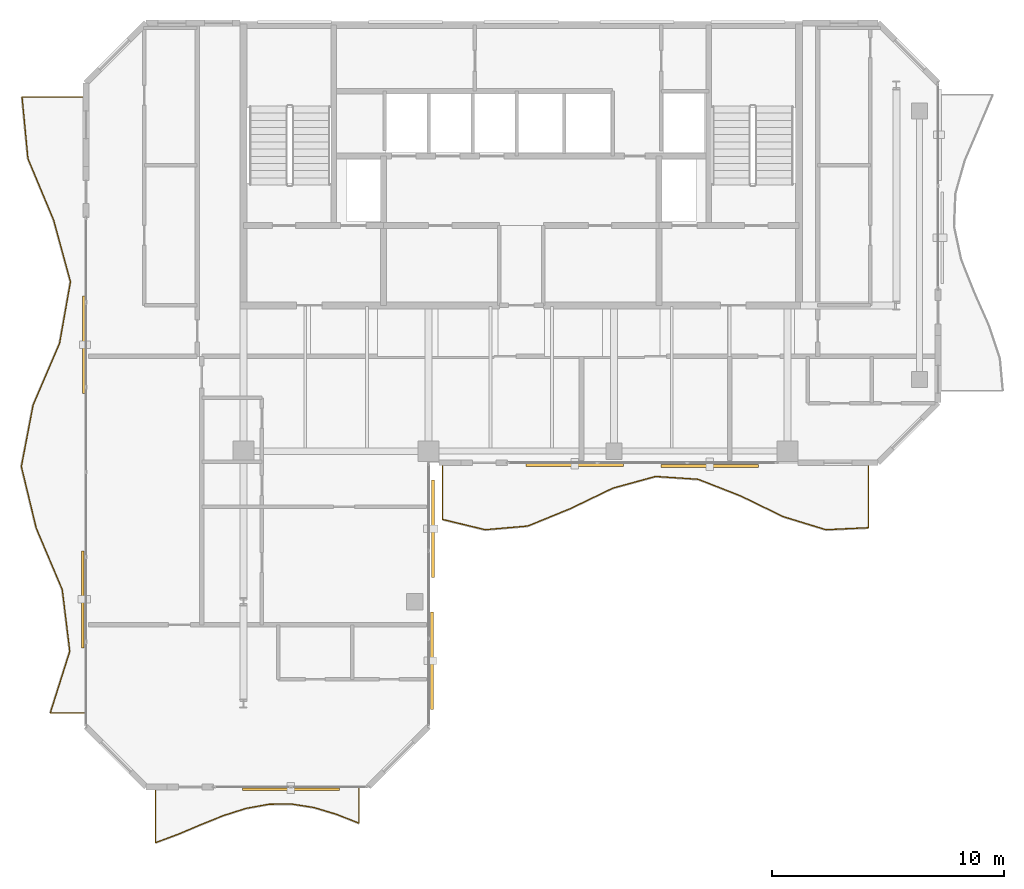
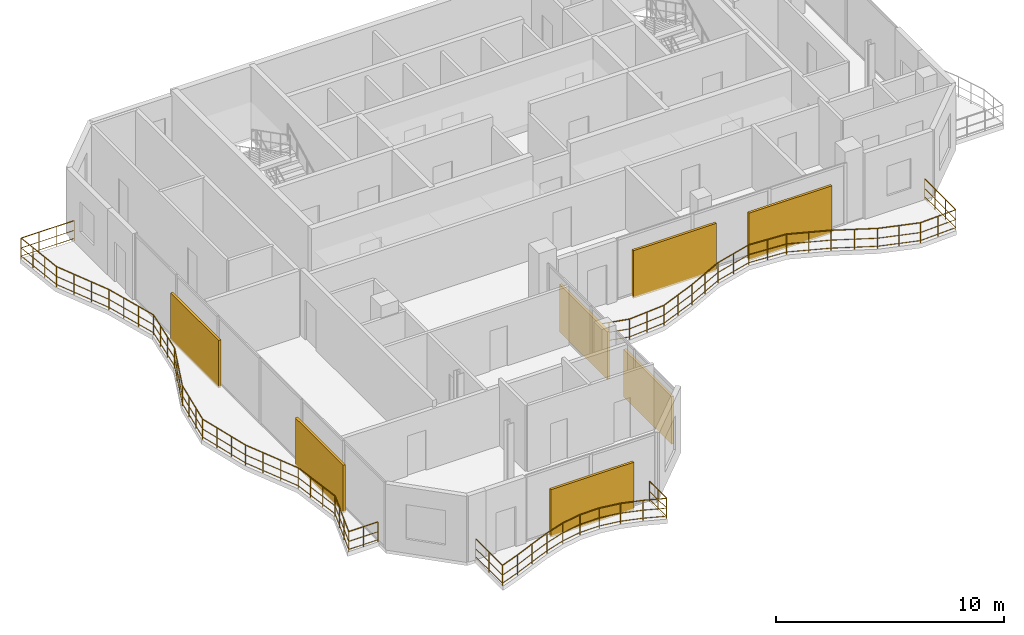
# One storey, part 16 of 17: 7 shading devices, 3 railings.
"""IFC4 building model written with IfcOpenShell, lengths in metres."""

import ifcopenshell
import ifcopenshell.guid

model = None  # the IFC model being written
_history = None  # IfcOwnerHistory: only IFC2X3 demands one
_inside = {}  # id of a spatial element -> (the spatial element, [elements in it])
_under = {}  # id of a project, library or spatial element -> (it, [spatial elements below it])
_declared = {}  # id of a project -> (the project, [libraries it declares])
_typed = {}  # id of a type object -> (the type object, [elements of that type])
_made_of = {}  # id of a material, layer set ... -> (it, [elements and type objects made of it])


def new_model(schema):
    """Start an empty IFC model of exactly this schema.

    Asked for "IFC4X3", IfcOpenShell would pick the latest addendum, in which some entities
    have other attributes; the version numbers below select the first issue.
    IFC2X3 requires an IfcOwnerHistory on every rooted entity: one is made here for all.
    """
    global model, _history
    if schema == "IFC4X3":
        model = ifcopenshell.file(schema_version=(4, 3, 0, 0))
    else:
        model = ifcopenshell.file(schema=schema)
    _inside.clear()
    _under.clear()
    _declared.clear()
    _typed.clear()
    _made_of.clear()
    _history = None
    if model.schema == "IFC2X3":
        org = make("IfcOrganization", Name="unknown")
        user = make(
            "IfcPersonAndOrganization",
            ThePerson=make("IfcPerson", FamilyName="unknown"),
            TheOrganization=org,
        )
        app = make(
            "IfcApplication",
            ApplicationDeveloper=org,
            Version="unknown",
            ApplicationFullName="unknown",
            ApplicationIdentifier="unknown",
        )
        _history = make(
            "IfcOwnerHistory",
            OwningUser=user,
            OwningApplication=app,
            ChangeAction="ADDED",
            CreationDate=0,
        )
    return model


def make(cls, **values):
    """One entity of the class cls with the attributes given. An attribute that is None is left unset."""
    return model.create_entity(
        cls, **{name: value for name, value in values.items() if value is not None}
    )


def rooted(cls, **values):
    """An entity with a GlobalId (a new one), such as an element, a storey or a relation."""
    return make(cls, GlobalId=ifcopenshell.guid.new(), OwnerHistory=_history, **values)


def si_unit(unit_type, name, prefix=None):
    """IfcSIUnit, for example si_unit("LENGTHUNIT", "METRE", prefix="MILLI")."""
    return make("IfcSIUnit", UnitType=unit_type, Prefix=prefix, Name=name)


def assignment(units):
    """IfcUnitAssignment: the units of a project."""
    return None if units is None else make("IfcUnitAssignment", Units=units)


def point(xyz):
    """IfcCartesianPoint."""
    return None if xyz is None else make("IfcCartesianPoint", Coordinates=xyz)


def direction(xyz):
    """IfcDirection."""
    return None if xyz is None else make("IfcDirection", DirectionRatios=xyz)


def frame(location, z_axis=None, x_axis=None):
    """IfcAxis2Placement3D, a coordinate frame: its origin and axes. An axis left out is left unset."""
    return make(
        "IfcAxis2Placement3D",
        Location=point(location),
        Axis=direction(z_axis),
        RefDirection=direction(x_axis),
    )


def frame_2d(location, x_axis=None):
    """IfcAxis2Placement2D, a coordinate frame in the plane: its origin and x axis."""
    return make(
        "IfcAxis2Placement2D", Location=point(location), RefDirection=direction(x_axis)
    )


def origin():
    """The frame at (0, 0, 0) with its axes left unset."""
    return frame((0.0, 0.0, 0.0))


def origin_2d():
    """The frame at (0, 0) in the plane with its x axis left unset."""
    return frame_2d((0.0, 0.0))


def place(relative_to, where):
    """IfcLocalPlacement: puts the frame where relative to a parent placement (None: the world)."""
    return make(
        "IfcLocalPlacement", PlacementRelTo=relative_to, RelativePlacement=where
    )


def context(
    kind, dimensions, precision=None, world=None, true_north=None, identifier=None
):
    """IfcGeometricRepresentationContext, for example the 3D "Model" context."""
    return make(
        "IfcGeometricRepresentationContext",
        ContextIdentifier=identifier,
        ContextType=kind,
        CoordinateSpaceDimension=dimensions,
        Precision=precision,
        WorldCoordinateSystem=world,
        TrueNorth=true_north,
    )


def subcontext(parent, identifier, kind, view, scale=None):
    """IfcGeometricRepresentationSubContext, for example "Body" below "Model"."""
    return make(
        "IfcGeometricRepresentationSubContext",
        ContextIdentifier=identifier,
        ContextType=kind,
        ParentContext=parent,
        TargetScale=scale,
        TargetView=view,
    )


def project(units=None, contexts=None):
    """IfcProject with its units and contexts."""
    return rooted(
        "IfcProject",
        Name="project",
        RepresentationContexts=contexts,
        UnitsInContext=assignment(units),
    )


def spatial(cls, under=None, at=None, **own):
    """A site, building, storey or space (cls), placed at a placement, below another one or the project."""
    s = rooted(cls, ObjectPlacement=at, **own)
    if under is not None:
        _under.setdefault(under.id(), (under, []))[1].append(s)
    return s


def profile(cls, at=None, kind="AREA", **sizes):
    """A parametric profile (cls). Its sizes go by their IFC names, for example OverallWidth=200.0."""
    return make(cls, ProfileType=kind, Position=at, **sizes)


def rectangle(**sizes):
    """IfcRectangleProfileDef."""
    return profile("IfcRectangleProfileDef", **sizes)


def circle(**sizes):
    """IfcCircleProfileDef."""
    return profile("IfcCircleProfileDef", **sizes)


def extrude(swept, where, along, depth):
    """IfcExtrudedAreaSolid: the profile swept, set in the frame where, extruded along a direction by depth."""
    return make(
        "IfcExtrudedAreaSolid",
        SweptArea=swept,
        Position=where,
        ExtrudedDirection=direction(along),
        Depth=depth,
    )


def shape(context_of_items, identifier, shape_type, items):
    """IfcShapeRepresentation: the items that make up one representation, for example the "Body"."""
    return make(
        "IfcShapeRepresentation",
        ContextOfItems=context_of_items,
        RepresentationIdentifier=identifier,
        RepresentationType=shape_type,
        Items=items,
    )


def material(Name=None, Category=None):
    """IfcMaterial."""
    return make("IfcMaterial", Name=Name, Category=Category)


def made_of(thing, what):
    """Note that an element or type object is made of a material, layer set ...; save() writes the relation."""
    if what is not None:
        _made_of.setdefault(what.id(), (what, []))[1].append(thing)
    return thing


def type_object(cls, material=None, **own):
    """A type object (cls), such as IfcWallType, which elements share."""
    return made_of(rooted(cls, **own), material)


def element(
    cls,
    number,
    at=None,
    inside=None,
    cuts=None,
    type_object=None,
    material=None,
    context=None,
    identifier="Body",
    shape_type=None,
    held_by="IfcProductDefinitionShape",
    body=None,
    shapes=None,
    **own,
):
    """One element of the class cls, such as IfcWall. Its Tag is "e" and its number.

    at: its placement. inside: the storey or other place that contains it. cuts: it is an
    opening in that element (IfcRelVoidsElement). A single representation is given by context,
    identifier, shape_type and body (its items); several are given by shapes. held_by: the class
    of the entity that holds the representations. save() writes the other relations.
    """
    e = rooted(cls, Tag="e%d" % number, ObjectPlacement=at, **own)
    if body is not None:
        shapes = [shape(context, identifier, shape_type, body)]
    if shapes is not None:
        e.Representation = make(held_by, Representations=shapes)
    if inside is not None:
        _inside.setdefault(inside.id(), (inside, []))[1].append(e)
    if cuts is not None:
        rooted(
            "IfcRelVoidsElement", RelatingBuildingElement=cuts, RelatedOpeningElement=e
        )
    if type_object is not None:
        _typed.setdefault(type_object.id(), (type_object, []))[1].append(e)
    return made_of(e, material)


def aggregate(whole, parts):
    """IfcRelAggregates: a whole, such as a stair, and the parts it consists of."""
    return rooted("IfcRelAggregates", RelatingObject=whole, RelatedObjects=parts)


def save(model, path):
    """Write the relations noted so far, then the file.

    IfcRelAggregates (storeys below a building ...), IfcRelContainedInSpatialStructure (elements
    in a storey), IfcRelDefinesByType, IfcRelAssociatesMaterial and IfcRelDeclares: one each for
    every whole, place, type object, material and project.
    """
    for whole, parts in _under.values():
        aggregate(whole, parts)
    for where, things in _inside.values():
        rooted(
            "IfcRelContainedInSpatialStructure",
            RelatedElements=things,
            RelatingStructure=where,
        )
    for kind, things in _typed.values():
        rooted("IfcRelDefinesByType", RelatedObjects=things, RelatingType=kind)
    for what, things in _made_of.values():
        rooted("IfcRelAssociatesMaterial", RelatedObjects=things, RelatingMaterial=what)
    for by, libraries in _declared.values():
        rooted("IfcRelDeclares", RelatingContext=by, RelatedDefinitions=libraries)
    model.write(path)


model = new_model("IFC4")

# Units and contexts
model_context = context("Model", 3, precision=1e-05, world=origin(), true_north=direction((0.0, 1.0)))
body_context = subcontext(model_context, "Body", "Model", "MODEL_VIEW")
ifc_project = project(units=[si_unit("LENGTHUNIT", "METRE"), si_unit("AREAUNIT", "SQUARE_METRE"), si_unit("VOLUMEUNIT", "CUBIC_METRE"), si_unit("PLANEANGLEUNIT", "RADIAN"), si_unit("MASSUNIT", "GRAM", prefix="KILO")], contexts=[model_context])

# Site, building, storey
site_placement = place(None, origin())
site = spatial("IfcSite", under=ifc_project, at=site_placement, CompositionType="ELEMENT")
building_placement = place(site_placement, origin())
building = spatial("IfcBuilding", under=site, at=building_placement, Name="Catumbela Crestline Tower", CompositionType="ELEMENT")
storey_placement = place(building_placement, frame((0.0, 0.0, 279.2)))
storey = spatial("IfcBuildingStorey", under=building, at=storey_placement, Name="L72", CompositionType="ELEMENT", Elevation=279.2)

# Railings
ifc_material_1 = material(Name="Stainless steel EN 1.4401", Category="steel")
railing_type = type_object("IfcRailingType", Name="RB-1100", PredefinedType="BALUSTRADE", material=ifc_material_1)
railing_1_placement = place(storey_placement, frame((24.6, 23.94, 0.0)))
element("IfcRailing", 1, at=railing_1_placement, inside=storey, type_object=railing_type, Name="L72 Private Wave Balcony Balustrade 1", PredefinedType="BALUSTRADE", context=body_context, shape_type="SweptSolid", body=[
    extrude(circle(Radius=0.024, at=origin_2d()), frame((0.0, 0.0, 1.076), z_axis=(0.0, -1.0, 0.0), x_axis=(1.0, 0.0, 0.0)), (0.0, 0.0, 1.0), 2.3853),
    extrude(circle(Radius=0.0156, at=origin_2d()), frame((0.0, 0.0, 0.55), z_axis=(0.0, -1.0, 0.0), x_axis=(1.0, 0.0, 0.0)), (0.0, 0.0, 1.0), 2.3853),
    extrude(circle(Radius=0.0156, at=origin_2d()), frame((0.0, 0.0, 0.12), z_axis=(0.0, -1.0, 0.0), x_axis=(1.0, 0.0, 0.0)), (0.0, 0.0, 1.0), 2.3853),
    extrude(circle(Radius=0.024, at=origin_2d()), frame((0.0, -2.3853, 1.076), z_axis=(0.972014442845, -0.234921099311, 0.0), x_axis=(0.234921099311, 0.972014442845, 0.0)), (0.0, 0.0, 1.0), 1.893),
    extrude(circle(Radius=0.0156, at=origin_2d()), frame((0.0, -2.3853, 0.55), z_axis=(0.972014442845, -0.234921099311, 0.0), x_axis=(0.234921099311, 0.972014442845, 0.0)), (0.0, 0.0, 1.0), 1.893),
    extrude(circle(Radius=0.0156, at=origin_2d()), frame((0.0, -2.3853, 0.12), z_axis=(0.972014442845, -0.234921099311, 0.0), x_axis=(0.234921099311, 0.972014442845, 0.0)), (0.0, 0.0, 1.0), 1.893),
    extrude(circle(Radius=0.024, at=origin_2d()), frame((1.84, -2.83, 1.076), z_axis=(0.996291816237, 0.086038461739, 0.0), x_axis=(-0.086038461739, 0.996291816237, 0.0)), (0.0, 0.0, 1.0), 1.8468),
    extrude(circle(Radius=0.0156, at=origin_2d()), frame((1.84, -2.83, 0.55), z_axis=(0.996291816237, 0.086038461739, 0.0), x_axis=(-0.086038461739, 0.996291816237, 0.0)), (0.0, 0.0, 1.0), 1.8468),
    extrude(circle(Radius=0.0156, at=origin_2d()), frame((1.84, -2.83, 0.12), z_axis=(0.996291816237, 0.086038461739, 0.0), x_axis=(-0.086038461739, 0.996291816237, 0.0)), (0.0, 0.0, 1.0), 1.8468),
    extrude(circle(Radius=0.024, at=origin_2d()), frame((3.68, -2.6711, 1.076), z_axis=(0.925780807111, 0.378060705687, 0.0), x_axis=(-0.378060705687, 0.925780807111, 0.0)), (0.0, 0.0, 1.0), 1.9875),
    extrude(circle(Radius=0.0156, at=origin_2d()), frame((3.68, -2.6711, 0.55), z_axis=(0.925780807111, 0.378060705687, 0.0), x_axis=(-0.378060705687, 0.925780807111, 0.0)), (0.0, 0.0, 1.0), 1.9875),
    extrude(circle(Radius=0.0156, at=origin_2d()), frame((3.68, -2.6711, 0.12), z_axis=(0.925780807111, 0.378060705687, 0.0), x_axis=(-0.378060705687, 0.925780807111, 0.0)), (0.0, 0.0, 1.0), 1.9875),
    extrude(circle(Radius=0.024, at=origin_2d()), frame((5.52, -1.9197, 1.076), z_axis=(0.90081518885, 0.434202712495, 0.0), x_axis=(-0.434202712495, 0.90081518885, 0.0)), (0.0, 0.0, 1.0), 2.0426),
    extrude(circle(Radius=0.0156, at=origin_2d()), frame((5.52, -1.9197, 0.55), z_axis=(0.90081518885, 0.434202712495, 0.0), x_axis=(-0.434202712495, 0.90081518885, 0.0)), (0.0, 0.0, 1.0), 2.0426),
    extrude(circle(Radius=0.0156, at=origin_2d()), frame((5.52, -1.9197, 0.12), z_axis=(0.90081518885, 0.434202712495, 0.0), x_axis=(-0.434202712495, 0.90081518885, 0.0)), (0.0, 0.0, 1.0), 2.0426),
    extrude(circle(Radius=0.024, at=origin_2d()), frame((7.36, -1.0328, 1.076), z_axis=(0.964633041285, 0.263596463673, 0.0), x_axis=(-0.263596463673, 0.964633041285, 0.0)), (0.0, 0.0, 1.0), 1.9075),
    extrude(circle(Radius=0.0156, at=origin_2d()), frame((7.36, -1.0328, 0.55), z_axis=(0.964633041285, 0.263596463673, 0.0), x_axis=(-0.263596463673, 0.964633041285, 0.0)), (0.0, 0.0, 1.0), 1.9075),
    extrude(circle(Radius=0.0156, at=origin_2d()), frame((7.36, -1.0328, 0.12), z_axis=(0.964633041285, 0.263596463673, 0.0), x_axis=(-0.263596463673, 0.964633041285, 0.0)), (0.0, 0.0, 1.0), 1.9075),
    extrude(circle(Radius=0.024, at=origin_2d()), frame((9.2, -0.53, 1.076), z_axis=(0.997844741801, -0.065619137912, 0.0), x_axis=(0.065619137912, 0.997844741801, 0.0)), (0.0, 0.0, 1.0), 1.844),
    extrude(circle(Radius=0.0156, at=origin_2d()), frame((9.2, -0.53, 0.55), z_axis=(0.997844741801, -0.065619137912, 0.0), x_axis=(0.065619137912, 0.997844741801, 0.0)), (0.0, 0.0, 1.0), 1.844),
    extrude(circle(Radius=0.0156, at=origin_2d()), frame((9.2, -0.53, 0.12), z_axis=(0.997844741801, -0.065619137912, 0.0), x_axis=(0.065619137912, 0.997844741801, 0.0)), (0.0, 0.0, 1.0), 1.844),
    extrude(circle(Radius=0.024, at=origin_2d()), frame((11.04, -0.651, 1.076), z_axis=(0.931105337332, -0.36475039519, 0.0), x_axis=(0.36475039519, 0.931105337332, 0.0)), (0.0, 0.0, 1.0), 1.9761),
    extrude(circle(Radius=0.0156, at=origin_2d()), frame((11.04, -0.651, 0.55), z_axis=(0.931105337332, -0.36475039519, 0.0), x_axis=(0.36475039519, 0.931105337332, 0.0)), (0.0, 0.0, 1.0), 1.9761),
    extrude(circle(Radius=0.0156, at=origin_2d()), frame((11.04, -0.651, 0.12), z_axis=(0.931105337332, -0.36475039519, 0.0), x_axis=(0.36475039519, 0.931105337332, 0.0)), (0.0, 0.0, 1.0), 1.9761),
    extrude(circle(Radius=0.024, at=origin_2d()), frame((12.88, -1.3718, 1.076), z_axis=(0.899241843518, -0.437451833768, 0.0), x_axis=(0.437451833768, 0.899241843518, 0.0)), (0.0, 0.0, 1.0), 2.0462),
    extrude(circle(Radius=0.0156, at=origin_2d()), frame((12.88, -1.3718, 0.55), z_axis=(0.899241843518, -0.437451833768, 0.0), x_axis=(0.437451833768, 0.899241843518, 0.0)), (0.0, 0.0, 1.0), 2.0462),
    extrude(circle(Radius=0.0156, at=origin_2d()), frame((12.88, -1.3718, 0.12), z_axis=(0.899241843518, -0.437451833768, 0.0), x_axis=(0.437451833768, 0.899241843518, 0.0)), (0.0, 0.0, 1.0), 2.0462),
    extrude(circle(Radius=0.024, at=origin_2d()), frame((14.72, -2.2669, 1.076), z_axis=(0.956223997203, -0.292635724362, 0.0), x_axis=(0.292635724362, 0.956223997203, 0.0)), (0.0, 0.0, 1.0), 1.9242),
    extrude(circle(Radius=0.0156, at=origin_2d()), frame((14.72, -2.2669, 0.55), z_axis=(0.956223997203, -0.292635724362, 0.0), x_axis=(0.292635724362, 0.956223997203, 0.0)), (0.0, 0.0, 1.0), 1.9242),
    extrude(circle(Radius=0.0156, at=origin_2d()), frame((14.72, -2.2669, 0.12), z_axis=(0.956223997203, -0.292635724362, 0.0), x_axis=(0.292635724362, 0.956223997203, 0.0)), (0.0, 0.0, 1.0), 1.9242),
    extrude(circle(Radius=0.024, at=origin_2d()), frame((16.56, -2.83, 1.076), z_axis=(0.998894269324, 0.047013175937, 0.0), x_axis=(-0.047013175937, 0.998894269324, 0.0)), (0.0, 0.0, 1.0), 1.842),
    extrude(circle(Radius=0.0156, at=origin_2d()), frame((16.56, -2.83, 0.55), z_axis=(0.998894269324, 0.047013175937, 0.0), x_axis=(-0.047013175937, 0.998894269324, 0.0)), (0.0, 0.0, 1.0), 1.842),
    extrude(circle(Radius=0.0156, at=origin_2d()), frame((16.56, -2.83, 0.12), z_axis=(0.998894269324, 0.047013175937, 0.0), x_axis=(-0.047013175937, 0.998894269324, 0.0)), (0.0, 0.0, 1.0), 1.842),
    extrude(circle(Radius=0.024, at=origin_2d()), frame((18.4, -2.7434, 1.076), z_axis=(0.0, 1.0, 0.0), x_axis=(-1.0, 0.0, 0.0)), (0.0, 0.0, 1.0), 2.7434),
    extrude(circle(Radius=0.0156, at=origin_2d()), frame((18.4, -2.7434, 0.55), z_axis=(0.0, 1.0, 0.0), x_axis=(-1.0, 0.0, 0.0)), (0.0, 0.0, 1.0), 2.7434),
    extrude(circle(Radius=0.0156, at=origin_2d()), frame((18.4, -2.7434, 0.12), z_axis=(0.0, 1.0, 0.0), x_axis=(-1.0, 0.0, 0.0)), (0.0, 0.0, 1.0), 2.7434),
    extrude(circle(Radius=0.021, at=origin_2d()), origin(), (0.0, 0.0, 1.0), 1.052),
    extrude(circle(Radius=0.021, at=origin_2d()), frame((0.0, -1.1927, 0.0)), (0.0, 0.0, 1.0), 1.052),
    extrude(circle(Radius=0.021, at=origin_2d()), frame((0.0, -2.3853, 0.0)), (0.0, 0.0, 1.0), 1.052),
    extrude(circle(Radius=0.021, at=origin_2d()), frame((0.92, -2.6077, 0.0)), (0.0, 0.0, 1.0), 1.052),
    extrude(circle(Radius=0.021, at=origin_2d()), frame((1.84, -2.83, 0.0)), (0.0, 0.0, 1.0), 1.052),
    extrude(circle(Radius=0.021, at=origin_2d()), frame((2.76, -2.7506, 0.0)), (0.0, 0.0, 1.0), 1.052),
    extrude(circle(Radius=0.021, at=origin_2d()), frame((3.68, -2.6711, 0.0)), (0.0, 0.0, 1.0), 1.052),
    extrude(circle(Radius=0.021, at=origin_2d()), frame((4.6, -2.2954, 0.0)), (0.0, 0.0, 1.0), 1.052),
    extrude(circle(Radius=0.021, at=origin_2d()), frame((5.52, -1.9197, 0.0)), (0.0, 0.0, 1.0), 1.052),
    extrude(circle(Radius=0.021, at=origin_2d()), frame((6.44, -1.4763, 0.0)), (0.0, 0.0, 1.0), 1.052),
    extrude(circle(Radius=0.021, at=origin_2d()), frame((7.36, -1.0328, 0.0)), (0.0, 0.0, 1.0), 1.052),
    extrude(circle(Radius=0.021, at=origin_2d()), frame((8.28, -0.7814, 0.0)), (0.0, 0.0, 1.0), 1.052),
    extrude(circle(Radius=0.021, at=origin_2d()), frame((9.2, -0.53, 0.0)), (0.0, 0.0, 1.0), 1.052),
    extrude(circle(Radius=0.021, at=origin_2d()), frame((10.12, -0.5905, 0.0)), (0.0, 0.0, 1.0), 1.052),
    extrude(circle(Radius=0.021, at=origin_2d()), frame((11.04, -0.651, 0.0)), (0.0, 0.0, 1.0), 1.052),
    extrude(circle(Radius=0.021, at=origin_2d()), frame((11.96, -1.0114, 0.0)), (0.0, 0.0, 1.0), 1.052),
    extrude(circle(Radius=0.021, at=origin_2d()), frame((12.88, -1.3718, 0.0)), (0.0, 0.0, 1.0), 1.052),
    extrude(circle(Radius=0.021, at=origin_2d()), frame((13.8, -1.8194, 0.0)), (0.0, 0.0, 1.0), 1.052),
    extrude(circle(Radius=0.021, at=origin_2d()), frame((14.72, -2.2669, 0.0)), (0.0, 0.0, 1.0), 1.052),
    extrude(circle(Radius=0.021, at=origin_2d()), frame((15.64, -2.5485, 0.0)), (0.0, 0.0, 1.0), 1.052),
    extrude(circle(Radius=0.021, at=origin_2d()), frame((16.56, -2.83, 0.0)), (0.0, 0.0, 1.0), 1.052),
    extrude(circle(Radius=0.021, at=origin_2d()), frame((17.48, -2.7867, 0.0)), (0.0, 0.0, 1.0), 1.052),
    extrude(circle(Radius=0.021, at=origin_2d()), frame((18.4, -2.7434, 0.0)), (0.0, 0.0, 1.0), 1.052),
    extrude(circle(Radius=0.021, at=origin_2d()), frame((18.4, -1.8289, 0.0)), (0.0, 0.0, 1.0), 1.052),
    extrude(circle(Radius=0.021, at=origin_2d()), frame((18.4, -0.9145, 0.0)), (0.0, 0.0, 1.0), 1.052),
    extrude(circle(Radius=0.021, at=origin_2d()), frame((18.4, 0.0, 0.0)), (0.0, 0.0, 1.0), 1.052),
])
railing_2_placement = place(storey_placement, frame((12.2, 9.94, 0.0)))
element("IfcRailing", 2, at=railing_2_placement, inside=storey, type_object=railing_type, Name="L72 Private Wave Balcony Balustrade 3", PredefinedType="BALUSTRADE", context=body_context, shape_type="SweptSolid", body=[
    extrude(circle(Radius=0.024, at=origin_2d()), frame((0.0, 0.0, 1.076), z_axis=(0.0, -1.0, 0.0), x_axis=(1.0, 0.0, 0.0)), (0.0, 0.0, 1.0), 2.3474),
    extrude(circle(Radius=0.0156, at=origin_2d()), frame((0.0, 0.0, 0.55), z_axis=(0.0, -1.0, 0.0), x_axis=(1.0, 0.0, 0.0)), (0.0, 0.0, 1.0), 2.3474),
    extrude(circle(Radius=0.0156, at=origin_2d()), frame((0.0, 0.0, 0.12), z_axis=(0.0, -1.0, 0.0), x_axis=(1.0, 0.0, 0.0)), (0.0, 0.0, 1.0), 2.3474),
    extrude(circle(Radius=0.024, at=origin_2d()), frame((0.0, -2.3474, 1.076), z_axis=(0.937670076589, 0.347526729143, 0.0), x_axis=(-0.347526729143, 0.937670076589, 0.0)), (0.0, 0.0, 1.0), 1.0428),
    extrude(circle(Radius=0.0156, at=origin_2d()), frame((0.0, -2.3474, 0.55), z_axis=(0.937670076589, 0.347526729143, 0.0), x_axis=(-0.347526729143, 0.937670076589, 0.0)), (0.0, 0.0, 1.0), 1.0428),
    extrude(circle(Radius=0.0156, at=origin_2d()), frame((0.0, -2.3474, 0.12), z_axis=(0.937670076589, 0.347526729143, 0.0), x_axis=(-0.347526729143, 0.937670076589, 0.0)), (0.0, 0.0, 1.0), 1.0428),
    extrude(circle(Radius=0.024, at=origin_2d()), frame((0.9778, -1.985, 1.076), z_axis=(0.921266066546, 0.388932943618, 0.0), x_axis=(-0.388932943618, 0.921266066546, 0.0)), (0.0, 0.0, 1.0), 1.0614),
    extrude(circle(Radius=0.0156, at=origin_2d()), frame((0.9778, -1.985, 0.55), z_axis=(0.921266066546, 0.388932943618, 0.0), x_axis=(-0.388932943618, 0.921266066546, 0.0)), (0.0, 0.0, 1.0), 1.0614),
    extrude(circle(Radius=0.0156, at=origin_2d()), frame((0.9778, -1.985, 0.12), z_axis=(0.921266066546, 0.388932943618, 0.0), x_axis=(-0.388932943618, 0.921266066546, 0.0)), (0.0, 0.0, 1.0), 1.0614),
    extrude(circle(Radius=0.024, at=origin_2d()), frame((1.9556, -1.5722, 1.076), z_axis=(0.927189269891, 0.374593189738, 0.0), x_axis=(-0.374593189738, 0.927189269891, 0.0)), (0.0, 0.0, 1.0), 1.0545),
    extrude(circle(Radius=0.0156, at=origin_2d()), frame((1.9556, -1.5722, 0.55), z_axis=(0.927189269891, 0.374593189738, 0.0), x_axis=(-0.374593189738, 0.927189269891, 0.0)), (0.0, 0.0, 1.0), 1.0545),
    extrude(circle(Radius=0.0156, at=origin_2d()), frame((1.9556, -1.5722, 0.12), z_axis=(0.927189269891, 0.374593189738, 0.0), x_axis=(-0.374593189738, 0.927189269891, 0.0)), (0.0, 0.0, 1.0), 1.0545),
    extrude(circle(Radius=0.024, at=origin_2d()), frame((2.9333, -1.1772, 1.076), z_axis=(0.952733641075, 0.303806861615, 0.0), x_axis=(-0.303806861615, 0.952733641075, 0.0)), (0.0, 0.0, 1.0), 1.0263),
    extrude(circle(Radius=0.0156, at=origin_2d()), frame((2.9333, -1.1772, 0.55), z_axis=(0.952733641075, 0.303806861615, 0.0), x_axis=(-0.303806861615, 0.952733641075, 0.0)), (0.0, 0.0, 1.0), 1.0263),
    extrude(circle(Radius=0.0156, at=origin_2d()), frame((2.9333, -1.1772, 0.12), z_axis=(0.952733641075, 0.303806861615, 0.0), x_axis=(-0.303806861615, 0.952733641075, 0.0)), (0.0, 0.0, 1.0), 1.0263),
    extrude(circle(Radius=0.024, at=origin_2d()), frame((3.9111, -0.8654, 1.076), z_axis=(0.983990445637, 0.178221218984, 0.0), x_axis=(-0.178221218984, 0.983990445637, 0.0)), (0.0, 0.0, 1.0), 0.9937),
    extrude(circle(Radius=0.0156, at=origin_2d()), frame((3.9111, -0.8654, 0.55), z_axis=(0.983990445637, 0.178221218984, 0.0), x_axis=(-0.178221218984, 0.983990445637, 0.0)), (0.0, 0.0, 1.0), 0.9937),
    extrude(circle(Radius=0.0156, at=origin_2d()), frame((3.9111, -0.8654, 0.12), z_axis=(0.983990445637, 0.178221218984, 0.0), x_axis=(-0.178221218984, 0.983990445637, 0.0)), (0.0, 0.0, 1.0), 0.9937),
    extrude(circle(Radius=0.024, at=origin_2d()), frame((4.8889, -0.6883, 1.076), z_axis=(0.999911631177, 0.013293977506, 0.0), x_axis=(-0.013293977506, 0.999911631177, 0.0)), (0.0, 0.0, 1.0), 0.9779),
    extrude(circle(Radius=0.0156, at=origin_2d()), frame((4.8889, -0.6883, 0.55), z_axis=(0.999911631177, 0.013293977506, 0.0), x_axis=(-0.013293977506, 0.999911631177, 0.0)), (0.0, 0.0, 1.0), 0.9779),
    extrude(circle(Radius=0.0156, at=origin_2d()), frame((4.8889, -0.6883, 0.12), z_axis=(0.999911631177, 0.013293977506, 0.0), x_axis=(-0.013293977506, 0.999911631177, 0.0)), (0.0, 0.0, 1.0), 0.9779),
    extrude(circle(Radius=0.024, at=origin_2d()), frame((5.8667, -0.6753, 1.076), z_axis=(0.987960442515, -0.154706703231, 0.0), x_axis=(0.154706703231, 0.987960442515, 0.0)), (0.0, 0.0, 1.0), 0.9896),
    extrude(circle(Radius=0.0156, at=origin_2d()), frame((5.8667, -0.6753, 0.55), z_axis=(0.987960442515, -0.154706703231, 0.0), x_axis=(0.154706703231, 0.987960442515, 0.0)), (0.0, 0.0, 1.0), 0.9896),
    extrude(circle(Radius=0.0156, at=origin_2d()), frame((5.8667, -0.6753, 0.12), z_axis=(0.987960442515, -0.154706703231, 0.0), x_axis=(0.154706703231, 0.987960442515, 0.0)), (0.0, 0.0, 1.0), 0.9896),
    extrude(circle(Radius=0.024, at=origin_2d()), frame((6.8444, -0.8284, 1.076), z_axis=(0.957621184217, -0.288030671178, 0.0), x_axis=(0.288030671178, 0.957621184217, 0.0)), (0.0, 0.0, 1.0), 1.0211),
    extrude(circle(Radius=0.0156, at=origin_2d()), frame((6.8444, -0.8284, 0.55), z_axis=(0.957621184217, -0.288030671178, 0.0), x_axis=(0.288030671178, 0.957621184217, 0.0)), (0.0, 0.0, 1.0), 1.0211),
    extrude(circle(Radius=0.0156, at=origin_2d()), frame((6.8444, -0.8284, 0.12), z_axis=(0.957621184217, -0.288030671178, 0.0), x_axis=(0.288030671178, 0.957621184217, 0.0)), (0.0, 0.0, 1.0), 1.0211),
    extrude(circle(Radius=0.024, at=origin_2d()), frame((7.8222, -1.1225, 1.076), z_axis=(0.930081682865, -0.367352777585, 0.0), x_axis=(0.367352777585, 0.930081682865, 0.0)), (0.0, 0.0, 1.0), 1.0513),
    extrude(circle(Radius=0.0156, at=origin_2d()), frame((7.8222, -1.1225, 0.55), z_axis=(0.930081682865, -0.367352777585, 0.0), x_axis=(0.367352777585, 0.930081682865, 0.0)), (0.0, 0.0, 1.0), 1.0513),
    extrude(circle(Radius=0.0156, at=origin_2d()), frame((7.8222, -1.1225, 0.12), z_axis=(0.930081682865, -0.367352777585, 0.0), x_axis=(0.367352777585, 0.930081682865, 0.0)), (0.0, 0.0, 1.0), 1.0513),
    extrude(circle(Radius=0.024, at=origin_2d()), frame((8.8, -1.5087, 1.076), z_axis=(0.0, 1.0, 0.0), x_axis=(-1.0, 0.0, 0.0)), (0.0, 0.0, 1.0), 1.5087),
    extrude(circle(Radius=0.0156, at=origin_2d()), frame((8.8, -1.5087, 0.55), z_axis=(0.0, 1.0, 0.0), x_axis=(-1.0, 0.0, 0.0)), (0.0, 0.0, 1.0), 1.5087),
    extrude(circle(Radius=0.0156, at=origin_2d()), frame((8.8, -1.5087, 0.12), z_axis=(0.0, 1.0, 0.0), x_axis=(-1.0, 0.0, 0.0)), (0.0, 0.0, 1.0), 1.5087),
    extrude(circle(Radius=0.021, at=origin_2d()), origin(), (0.0, 0.0, 1.0), 1.052),
    extrude(circle(Radius=0.021, at=origin_2d()), frame((0.0, -1.1737, 0.0)), (0.0, 0.0, 1.0), 1.052),
    extrude(circle(Radius=0.021, at=origin_2d()), frame((0.0, -2.3474, 0.0)), (0.0, 0.0, 1.0), 1.052),
    extrude(circle(Radius=0.021, at=origin_2d()), frame((0.9778, -1.985, 0.0)), (0.0, 0.0, 1.0), 1.052),
    extrude(circle(Radius=0.021, at=origin_2d()), frame((1.9556, -1.5722, 0.0)), (0.0, 0.0, 1.0), 1.052),
    extrude(circle(Radius=0.021, at=origin_2d()), frame((2.9333, -1.1772, 0.0)), (0.0, 0.0, 1.0), 1.052),
    extrude(circle(Radius=0.021, at=origin_2d()), frame((3.9111, -0.8654, 0.0)), (0.0, 0.0, 1.0), 1.052),
    extrude(circle(Radius=0.021, at=origin_2d()), frame((4.8889, -0.6883, 0.0)), (0.0, 0.0, 1.0), 1.052),
    extrude(circle(Radius=0.021, at=origin_2d()), frame((5.8667, -0.6753, 0.0)), (0.0, 0.0, 1.0), 1.052),
    extrude(circle(Radius=0.021, at=origin_2d()), frame((6.8444, -0.8284, 0.0)), (0.0, 0.0, 1.0), 1.052),
    extrude(circle(Radius=0.021, at=origin_2d()), frame((7.8222, -1.1225, 0.0)), (0.0, 0.0, 1.0), 1.052),
    extrude(circle(Radius=0.021, at=origin_2d()), frame((8.8, -1.5087, 0.0)), (0.0, 0.0, 1.0), 1.052),
    extrude(circle(Radius=0.021, at=origin_2d()), frame((8.8, -0.7543, 0.0)), (0.0, 0.0, 1.0), 1.052),
    extrude(circle(Radius=0.021, at=origin_2d()), frame((8.8, 0.0, 0.0)), (0.0, 0.0, 1.0), 1.052),
])
railing_3_placement = place(storey_placement, frame((9.14, 39.8, 0.0)))
element("IfcRailing", 3, at=railing_3_placement, inside=storey, type_object=railing_type, Name="L72 Private Wave Balcony Balustrade 4", PredefinedType="BALUSTRADE", context=body_context, shape_type="SweptSolid", body=[
    extrude(circle(Radius=0.024, at=origin_2d()), frame((0.0, 0.0, 1.076), z_axis=(-1.0, 0.0, 0.0), x_axis=(0.0, -1.0, 0.0)), (0.0, 0.0, 1.0), 2.7006),
    extrude(circle(Radius=0.0156, at=origin_2d()), frame((0.0, 0.0, 0.55), z_axis=(-1.0, 0.0, 0.0), x_axis=(0.0, -1.0, 0.0)), (0.0, 0.0, 1.0), 2.7006),
    extrude(circle(Radius=0.0156, at=origin_2d()), frame((0.0, 0.0, 0.12), z_axis=(-1.0, 0.0, 0.0), x_axis=(0.0, -1.0, 0.0)), (0.0, 0.0, 1.0), 2.7006),
    extrude(circle(Radius=0.024, at=origin_2d()), frame((-2.7006, 0.0, 1.076), z_axis=(0.094870905814, -0.995489583687, 0.0), x_axis=(0.995489583687, 0.094870905814, 0.0)), (0.0, 0.0, 1.0), 2.6721),
    extrude(circle(Radius=0.0156, at=origin_2d()), frame((-2.7006, 0.0, 0.55), z_axis=(0.094870905814, -0.995489583687, 0.0), x_axis=(0.995489583687, 0.094870905814, 0.0)), (0.0, 0.0, 1.0), 2.6721),
    extrude(circle(Radius=0.0156, at=origin_2d()), frame((-2.7006, 0.0, 0.12), z_axis=(0.094870905814, -0.995489583687, 0.0), x_axis=(0.995489583687, 0.094870905814, 0.0)), (0.0, 0.0, 1.0), 2.6721),
    extrude(circle(Radius=0.024, at=origin_2d()), frame((-2.4471, -2.66, 1.076), z_axis=(0.385462533734, -0.922723487881, 0.0), x_axis=(0.922723487881, 0.385462533734, 0.0)), (0.0, 0.0, 1.0), 2.8828),
    extrude(circle(Radius=0.0156, at=origin_2d()), frame((-2.4471, -2.66, 0.55), z_axis=(0.385462533734, -0.922723487881, 0.0), x_axis=(0.922723487881, 0.385462533734, 0.0)), (0.0, 0.0, 1.0), 2.8828),
    extrude(circle(Radius=0.0156, at=origin_2d()), frame((-2.4471, -2.66, 0.12), z_axis=(0.385462533734, -0.922723487881, 0.0), x_axis=(0.922723487881, 0.385462533734, 0.0)), (0.0, 0.0, 1.0), 2.8828),
    extrude(circle(Radius=0.024, at=origin_2d()), frame((-1.3359, -5.32, 1.076), z_axis=(0.263470281309, -0.964667513119, 0.0), x_axis=(0.964667513119, 0.263470281309, 0.0)), (0.0, 0.0, 1.0), 2.7574),
    extrude(circle(Radius=0.0156, at=origin_2d()), frame((-1.3359, -5.32, 0.55), z_axis=(0.263470281309, -0.964667513119, 0.0), x_axis=(0.964667513119, 0.263470281309, 0.0)), (0.0, 0.0, 1.0), 2.7574),
    extrude(circle(Radius=0.0156, at=origin_2d()), frame((-1.3359, -5.32, 0.12), z_axis=(0.263470281309, -0.964667513119, 0.0), x_axis=(0.964667513119, 0.263470281309, 0.0)), (0.0, 0.0, 1.0), 2.7574),
    extrude(circle(Radius=0.024, at=origin_2d()), frame((-0.6094, -7.98, 1.076), z_axis=(-0.174283696661, -0.98469548241, 0.0), x_axis=(0.98469548241, -0.174283696661, 0.0)), (0.0, 0.0, 1.0), 2.7013),
    extrude(circle(Radius=0.0156, at=origin_2d()), frame((-0.6094, -7.98, 0.55), z_axis=(-0.174283696661, -0.98469548241, 0.0), x_axis=(0.98469548241, -0.174283696661, 0.0)), (0.0, 0.0, 1.0), 2.7013),
    extrude(circle(Radius=0.0156, at=origin_2d()), frame((-0.6094, -7.98, 0.12), z_axis=(-0.174283696661, -0.98469548241, 0.0), x_axis=(0.98469548241, -0.174283696661, 0.0)), (0.0, 0.0, 1.0), 2.7013),
    extrude(circle(Radius=0.024, at=origin_2d()), frame((-1.0802, -10.64, 1.076), z_axis=(-0.394357051156, -0.918957298357, 0.0), x_axis=(0.918957298357, -0.394357051156, 0.0)), (0.0, 0.0, 1.0), 2.8946),
    extrude(circle(Radius=0.0156, at=origin_2d()), frame((-1.0802, -10.64, 0.55), z_axis=(-0.394357051156, -0.918957298357, 0.0), x_axis=(0.918957298357, -0.394357051156, 0.0)), (0.0, 0.0, 1.0), 2.8946),
    extrude(circle(Radius=0.0156, at=origin_2d()), frame((-1.0802, -10.64, 0.12), z_axis=(-0.394357051156, -0.918957298357, 0.0), x_axis=(0.918957298357, -0.394357051156, 0.0)), (0.0, 0.0, 1.0), 2.8946),
    extrude(circle(Radius=0.024, at=origin_2d()), frame((-2.2217, -13.3, 1.076), z_axis=(-0.187694081346, -0.98222753567, 0.0), x_axis=(0.98222753567, -0.187694081346, 0.0)), (0.0, 0.0, 1.0), 2.7081),
    extrude(circle(Radius=0.0156, at=origin_2d()), frame((-2.2217, -13.3, 0.55), z_axis=(-0.187694081346, -0.98222753567, 0.0), x_axis=(0.98222753567, -0.187694081346, 0.0)), (0.0, 0.0, 1.0), 2.7081),
    extrude(circle(Radius=0.0156, at=origin_2d()), frame((-2.2217, -13.3, 0.12), z_axis=(-0.187694081346, -0.98222753567, 0.0), x_axis=(0.98222753567, -0.187694081346, 0.0)), (0.0, 0.0, 1.0), 2.7081),
    extrude(circle(Radius=0.024, at=origin_2d()), frame((-2.73, -15.96, 1.076), z_axis=(0.234478578071, -0.972121286891, 0.0), x_axis=(0.972121286891, 0.234478578071, 0.0)), (0.0, 0.0, 1.0), 2.7363),
    extrude(circle(Radius=0.0156, at=origin_2d()), frame((-2.73, -15.96, 0.55), z_axis=(0.234478578071, -0.972121286891, 0.0), x_axis=(0.972121286891, 0.234478578071, 0.0)), (0.0, 0.0, 1.0), 2.7363),
    extrude(circle(Radius=0.0156, at=origin_2d()), frame((-2.73, -15.96, 0.12), z_axis=(0.234478578071, -0.972121286891, 0.0), x_axis=(0.972121286891, 0.234478578071, 0.0)), (0.0, 0.0, 1.0), 2.7363),
    extrude(circle(Radius=0.024, at=origin_2d()), frame((-2.0884, -18.62, 1.076), z_axis=(0.389732602079, -0.920928063899, 0.0), x_axis=(0.920928063899, 0.389732602079, 0.0)), (0.0, 0.0, 1.0), 2.8884),
    extrude(circle(Radius=0.0156, at=origin_2d()), frame((-2.0884, -18.62, 0.55), z_axis=(0.389732602079, -0.920928063899, 0.0), x_axis=(0.920928063899, 0.389732602079, 0.0)), (0.0, 0.0, 1.0), 2.8884),
    extrude(circle(Radius=0.0156, at=origin_2d()), frame((-2.0884, -18.62, 0.12), z_axis=(0.389732602079, -0.920928063899, 0.0), x_axis=(0.920928063899, 0.389732602079, 0.0)), (0.0, 0.0, 1.0), 2.8884),
    extrude(circle(Radius=0.024, at=origin_2d()), frame((-0.9627, -21.28, 1.076), z_axis=(0.120763781886, -0.992681272607, 0.0), x_axis=(0.992681272607, 0.120763781886, 0.0)), (0.0, 0.0, 1.0), 2.6796),
    extrude(circle(Radius=0.0156, at=origin_2d()), frame((-0.9627, -21.28, 0.55), z_axis=(0.120763781886, -0.992681272607, 0.0), x_axis=(0.992681272607, 0.120763781886, 0.0)), (0.0, 0.0, 1.0), 2.6796),
    extrude(circle(Radius=0.0156, at=origin_2d()), frame((-0.9627, -21.28, 0.12), z_axis=(0.120763781886, -0.992681272607, 0.0), x_axis=(0.992681272607, 0.120763781886, 0.0)), (0.0, 0.0, 1.0), 2.6796),
    extrude(circle(Radius=0.024, at=origin_2d()), frame((-0.6391, -23.94, 1.076), z_axis=(-0.301261752226, -0.953541481345, 0.0), x_axis=(0.953541481345, -0.301261752226, 0.0)), (0.0, 0.0, 1.0), 2.7896),
    extrude(circle(Radius=0.0156, at=origin_2d()), frame((-0.6391, -23.94, 0.55), z_axis=(-0.301261752226, -0.953541481345, 0.0), x_axis=(0.953541481345, -0.301261752226, 0.0)), (0.0, 0.0, 1.0), 2.7896),
    extrude(circle(Radius=0.0156, at=origin_2d()), frame((-0.6391, -23.94, 0.12), z_axis=(-0.301261752226, -0.953541481345, 0.0), x_axis=(0.953541481345, -0.301261752226, 0.0)), (0.0, 0.0, 1.0), 2.7896),
    extrude(circle(Radius=0.024, at=origin_2d()), frame((-1.4795, -26.6, 1.076), z_axis=(1.0, 0.0, 0.0), x_axis=(0.0, 1.0, 0.0)), (0.0, 0.0, 1.0), 1.4795),
    extrude(circle(Radius=0.0156, at=origin_2d()), frame((-1.4795, -26.6, 0.55), z_axis=(1.0, 0.0, 0.0), x_axis=(0.0, 1.0, 0.0)), (0.0, 0.0, 1.0), 1.4795),
    extrude(circle(Radius=0.0156, at=origin_2d()), frame((-1.4795, -26.6, 0.12), z_axis=(1.0, 0.0, 0.0), x_axis=(0.0, 1.0, 0.0)), (0.0, 0.0, 1.0), 1.4795),
    extrude(circle(Radius=0.021, at=origin_2d()), origin(), (0.0, 0.0, 1.0), 1.052),
    extrude(circle(Radius=0.021, at=origin_2d()), frame((-0.9002, 0.0, 0.0)), (0.0, 0.0, 1.0), 1.052),
    extrude(circle(Radius=0.021, at=origin_2d()), frame((-1.8004, 0.0, 0.0)), (0.0, 0.0, 1.0), 1.052),
    extrude(circle(Radius=0.021, at=origin_2d()), frame((-2.7006, 0.0, 0.0)), (0.0, 0.0, 1.0), 1.052),
    extrude(circle(Radius=0.021, at=origin_2d()), frame((-2.6161, -0.8867, 0.0)), (0.0, 0.0, 1.0), 1.052),
    extrude(circle(Radius=0.021, at=origin_2d()), frame((-2.5316, -1.7733, 0.0)), (0.0, 0.0, 1.0), 1.052),
    extrude(circle(Radius=0.021, at=origin_2d()), frame((-2.4471, -2.66, 0.0)), (0.0, 0.0, 1.0), 1.052),
    extrude(circle(Radius=0.021, at=origin_2d()), frame((-2.0767, -3.5467, 0.0)), (0.0, 0.0, 1.0), 1.052),
    extrude(circle(Radius=0.021, at=origin_2d()), frame((-1.7063, -4.4333, 0.0)), (0.0, 0.0, 1.0), 1.052),
    extrude(circle(Radius=0.021, at=origin_2d()), frame((-1.3359, -5.32, 0.0)), (0.0, 0.0, 1.0), 1.052),
    extrude(circle(Radius=0.021, at=origin_2d()), frame((-1.0937, -6.2067, 0.0)), (0.0, 0.0, 1.0), 1.052),
    extrude(circle(Radius=0.021, at=origin_2d()), frame((-0.8516, -7.0933, 0.0)), (0.0, 0.0, 1.0), 1.052),
    extrude(circle(Radius=0.021, at=origin_2d()), frame((-0.6094, -7.98, 0.0)), (0.0, 0.0, 1.0), 1.052),
    extrude(circle(Radius=0.021, at=origin_2d()), frame((-0.7663, -8.8667, 0.0)), (0.0, 0.0, 1.0), 1.052),
    extrude(circle(Radius=0.021, at=origin_2d()), frame((-0.9233, -9.7533, 0.0)), (0.0, 0.0, 1.0), 1.052),
    extrude(circle(Radius=0.021, at=origin_2d()), frame((-1.0802, -10.64, 0.0)), (0.0, 0.0, 1.0), 1.052),
    extrude(circle(Radius=0.021, at=origin_2d()), frame((-1.4607, -11.5267, 0.0)), (0.0, 0.0, 1.0), 1.052),
    extrude(circle(Radius=0.021, at=origin_2d()), frame((-1.8412, -12.4133, 0.0)), (0.0, 0.0, 1.0), 1.052),
    extrude(circle(Radius=0.021, at=origin_2d()), frame((-2.2217, -13.3, 0.0)), (0.0, 0.0, 1.0), 1.052),
    extrude(circle(Radius=0.021, at=origin_2d()), frame((-2.3911, -14.1867, 0.0)), (0.0, 0.0, 1.0), 1.052),
    extrude(circle(Radius=0.021, at=origin_2d()), frame((-2.5606, -15.0733, 0.0)), (0.0, 0.0, 1.0), 1.052),
    extrude(circle(Radius=0.021, at=origin_2d()), frame((-2.73, -15.96, 0.0)), (0.0, 0.0, 1.0), 1.052),
    extrude(circle(Radius=0.021, at=origin_2d()), frame((-2.5161, -16.8467, 0.0)), (0.0, 0.0, 1.0), 1.052),
    extrude(circle(Radius=0.021, at=origin_2d()), frame((-2.3023, -17.7333, 0.0)), (0.0, 0.0, 1.0), 1.052),
    extrude(circle(Radius=0.021, at=origin_2d()), frame((-2.0884, -18.62, 0.0)), (0.0, 0.0, 1.0), 1.052),
    extrude(circle(Radius=0.021, at=origin_2d()), frame((-1.7132, -19.5067, 0.0)), (0.0, 0.0, 1.0), 1.052),
    extrude(circle(Radius=0.021, at=origin_2d()), frame((-1.3379, -20.3933, 0.0)), (0.0, 0.0, 1.0), 1.052),
    extrude(circle(Radius=0.021, at=origin_2d()), frame((-0.9627, -21.28, 0.0)), (0.0, 0.0, 1.0), 1.052),
    extrude(circle(Radius=0.021, at=origin_2d()), frame((-0.8548, -22.1667, 0.0)), (0.0, 0.0, 1.0), 1.052),
    extrude(circle(Radius=0.021, at=origin_2d()), frame((-0.747, -23.0533, 0.0)), (0.0, 0.0, 1.0), 1.052),
    extrude(circle(Radius=0.021, at=origin_2d()), frame((-0.6391, -23.94, 0.0)), (0.0, 0.0, 1.0), 1.052),
    extrude(circle(Radius=0.021, at=origin_2d()), frame((-0.9192, -24.8267, 0.0)), (0.0, 0.0, 1.0), 1.052),
    extrude(circle(Radius=0.021, at=origin_2d()), frame((-1.1994, -25.7133, 0.0)), (0.0, 0.0, 1.0), 1.052),
    extrude(circle(Radius=0.021, at=origin_2d()), frame((-1.4795, -26.6, 0.0)), (0.0, 0.0, 1.0), 1.052),
    extrude(circle(Radius=0.021, at=origin_2d()), frame((-0.7398, -26.6, 0.0)), (0.0, 0.0, 1.0), 1.052),
    extrude(circle(Radius=0.021, at=origin_2d()), frame((0.0, -26.6, 0.0)), (0.0, 0.0, 1.0), 1.052),
])

# Shading devices
ifc_material_2 = material(Name="Extruded terracotta ceramic", Category="masonry")
shading_device_type_1 = type_object("IfcShadingDeviceType", Name="ST-180", PredefinedType="USERDEFINED", material=ifc_material_2)
for number, where, z_axis, x_axis, name in (
    (4, (18.05, 9.901, -0.1), (0.0, 0.0, 1.0), (1.0, 0.0, 0.0), "L72 Perforated Terracotta Solar Screen 887 (180 mm)"),
    (5, (30.3125, 23.901, -0.1), (0.0, 0.0, 1.0), (1.0, 0.0, 0.0), "L72 Perforated Terracotta Solar Screen 890 (180 mm)"),
    (6, (9.101, 29.1, -0.1), (0.0, 0.0, 1.0), (0.0, -1.0, 0.0), "L72 Perforated Terracotta Solar Screen 894 (180 mm)"),
):
    element("IfcShadingDevice", number, at=place(storey_placement, frame(where, z_axis=z_axis, x_axis=x_axis)), inside=storey, type_object=shading_device_type_1, Name=name, ObjectType="SCREEN", PredefinedType="USERDEFINED", context=body_context, shape_type="SweptSolid", body=[
        extrude(rectangle(XDim=4.2, YDim=0.12, at=origin_2d()), origin(), (0.0, 0.0, 1.0), 2.55),
    ])
shading_device_type_2 = type_object("IfcShadingDeviceType", Name="ST-260", PredefinedType="USERDEFINED", material=ifc_material_2)
for number, where, z_axis, x_axis, name in (
    (7, (24.143, 15.45, -0.1), (0.0, 0.0, 1.0), (0.0, 1.0, 0.0), "L72 Perforated Terracotta Solar Screen 888 (260 mm)"),
    (8, (36.1375, 23.857, -0.1), (0.0, 0.0, 1.0), (1.0, 0.0, 0.0), "L72 Perforated Terracotta Solar Screen 891 (260 mm)"),
    (9, (9.057, 18.1, -0.1), (0.0, 0.0, 1.0), (0.0, -1.0, 0.0), "L72 Perforated Terracotta Solar Screen 895 (260 mm)"),
):
    element("IfcShadingDevice", number, at=place(storey_placement, frame(where, z_axis=z_axis, x_axis=x_axis)), inside=storey, type_object=shading_device_type_2, Name=name, ObjectType="SCREEN", PredefinedType="USERDEFINED", context=body_context, shape_type="SweptSolid", body=[
        extrude(rectangle(XDim=4.2, YDim=0.12, at=origin_2d()), origin(), (0.0, 0.0, 1.0), 2.55),
    ])
shading_device_type_3 = type_object("IfcShadingDeviceType", Name="ST-340", PredefinedType="USERDEFINED", material=ifc_material_2)
shading_device_placement = place(storey_placement, frame((24.187, 21.15, -0.1), z_axis=(0.0, 0.0, 1.0), x_axis=(0.0, 1.0, 0.0)))
element("IfcShadingDevice", 10, at=shading_device_placement, inside=storey, type_object=shading_device_type_3, Name="L72 Perforated Terracotta Solar Screen 889 (340 mm)", ObjectType="SCREEN", PredefinedType="USERDEFINED", context=body_context, shape_type="SweptSolid", body=[
    extrude(rectangle(XDim=4.2, YDim=0.12, at=origin_2d()), origin(), (0.0, 0.0, 1.0), 2.55),
])

save(model, "model.ifc")
